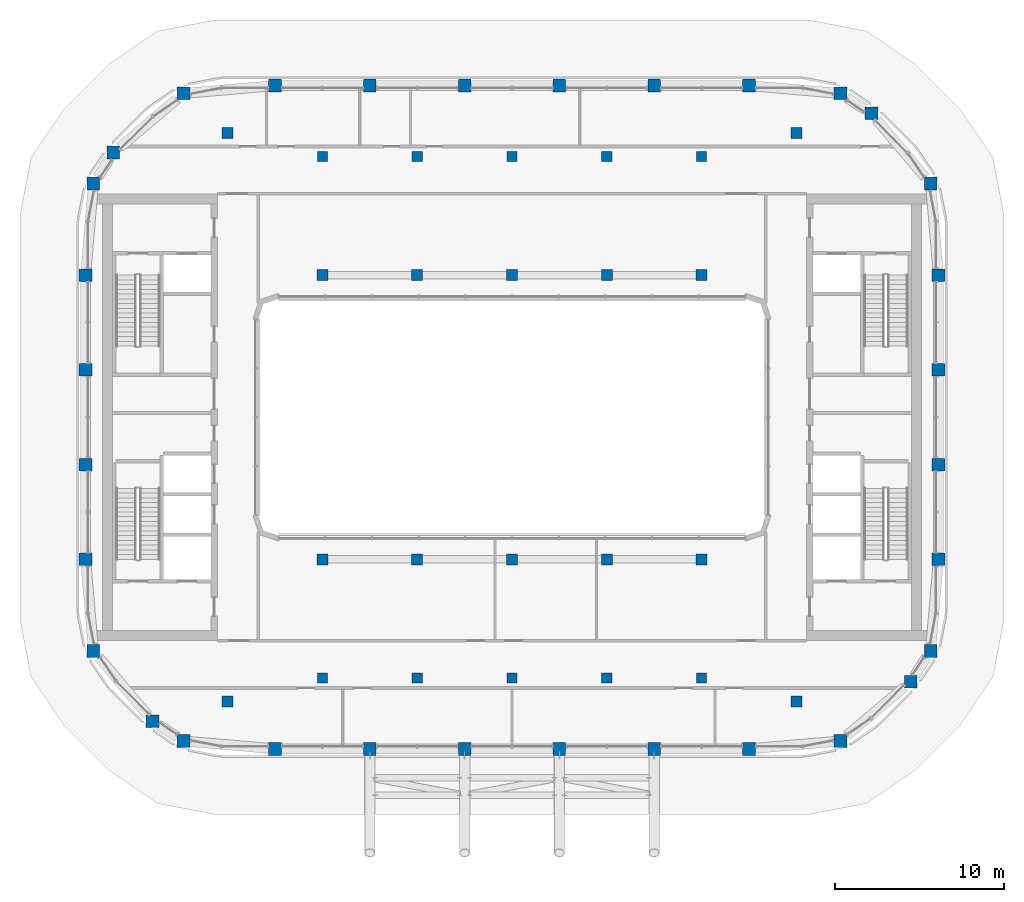
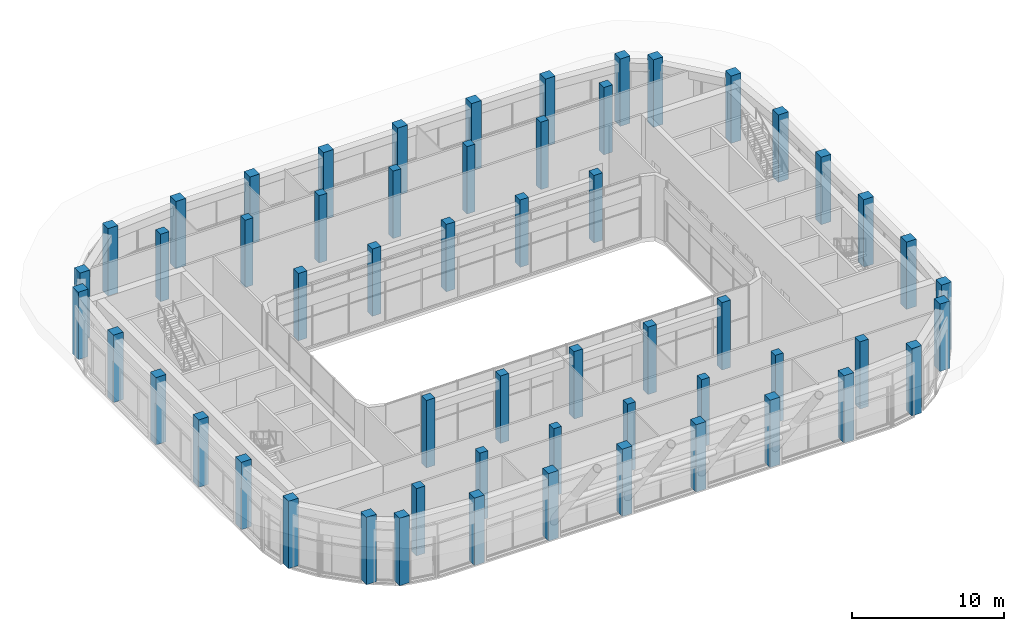
# One storey, part 1 of 24: 56 columns.
"""IFC4 building model written with IfcOpenShell, lengths in metres."""

from ifc_helpers import new_model, si_unit, direction, frame, origin, origin_2d, place, context, subcontext, project, spatial, rectangle, extrude, material, material_profile, profile_set, type_object, element, save


model = new_model("IFC4")

# Units and contexts
model_context = context("Model", 3, precision=1e-05, world=origin(), true_north=direction((0.0, 1.0)))
body_context = subcontext(model_context, "Body", "Model", "MODEL_VIEW")
ifc_project = project(units=[si_unit("LENGTHUNIT", "METRE"), si_unit("AREAUNIT", "SQUARE_METRE"), si_unit("VOLUMEUNIT", "CUBIC_METRE"), si_unit("PLANEANGLEUNIT", "RADIAN"), si_unit("MASSUNIT", "GRAM", prefix="KILO")], contexts=[model_context])

# Site, building, storey
site_placement = place(None, origin())
site = spatial("IfcSite", under=ifc_project, at=site_placement, CompositionType="ELEMENT")
building_placement = place(site_placement, origin())
building = spatial("IfcBuilding", under=site, at=building_placement, Name="Kiln Ring Residences", CompositionType="ELEMENT")
storey_placement = place(building_placement, frame((0.0, 0.0, 283.699951171875)))
storey = spatial("IfcBuildingStorey", under=building, at=storey_placement, Name="L74", CompositionType="ELEMENT", Elevation=283.699951171875)

# Columns
ifc_material_1 = material(Name="Concrete C60/75", Category="concrete")
ifc_material_profile_1 = material_profile(ifc_material_1, rectangle(XDim=0.60009765625, YDim=0.60009765625, at=origin_2d()), Name="RC600x600")
ifc_profile_set_1 = profile_set([ifc_material_profile_1], Name="Concrete C60/75")
column_type_1 = type_object("IfcColumnType", Name="Corridor column RC600x600 C60/75", PredefinedType="COLUMN", material=ifc_profile_set_1)
for number, where, z_axis, x_axis, name in (
    (1, (-11.199951171875, 15.39990234375, 0.0), (0.0, 0.0, 1.0), (1.0, 0.0, 0.0), "Corridor column L74 1"),
    (2, (-5.60009765625, 15.39990234375, 0.0), (0.0, 0.0, 1.0), (1.0, 0.0, 0.0), "Corridor column L74 2"),
    (3, (0.0, 15.39990234375, 0.0), (0.0, 0.0, 1.0), (1.0, 0.0, 0.0), "Corridor column L74 3"),
    (4, (5.60009765625, 15.39990234375, 0.0), (0.0, 0.0, 1.0), (1.0, 0.0, 0.0), "Corridor column L74 4"),
    (5, (11.199951171875, 15.39990234375, 0.0), (0.0, 0.0, 1.0), (1.0, 0.0, 0.0), "Corridor column L74 5"),
    (6, (-11.199951171875, -15.39990234375, 0.0), (0.0, 0.0, 1.0), (1.0, 0.0, 0.0), "Corridor column L74 6"),
    (7, (-5.60009765625, -15.39990234375, 0.0), (0.0, 0.0, 1.0), (1.0, 0.0, 0.0), "Corridor column L74 7"),
    (8, (0.0, -15.39990234375, 0.0), (0.0, 0.0, 1.0), (1.0, 0.0, 0.0), "Corridor column L74 8"),
    (9, (5.60009765625, -15.39990234375, 0.0), (0.0, 0.0, 1.0), (1.0, 0.0, 0.0), "Corridor column L74 9"),
    (10, (11.199951171875, -15.39990234375, 0.0), (0.0, 0.0, 1.0), (1.0, 0.0, 0.0), "Corridor column L74 10"),
):
    element("IfcColumn", number, at=place(storey_placement, frame(where, z_axis=z_axis, x_axis=x_axis)), inside=storey, type_object=column_type_1, Name=name, PredefinedType="COLUMN", context=body_context, shape_type="SweptSolid", body=[
        extrude(rectangle(XDim=0.60009765625, YDim=0.60009765625, at=origin_2d()), origin(), (0.0, 0.0, 1.0), 5.400146484375),
    ])
ifc_material_2 = material(Name="Concrete C60/75", Category="concrete")
ifc_material_profile_2 = material_profile(ifc_material_2, rectangle(XDim=0.75, YDim=0.75, at=origin_2d()), Name="RC750x750")
ifc_profile_set_2 = profile_set([ifc_material_profile_2], Name="Concrete C60/75")
column_type_2 = type_object("IfcColumnType", Name="Perimeter column RC750x750 C60/75", PredefinedType="COLUMN", material=ifc_profile_set_2)
for number, where, z_axis, x_axis, name in (
    (11, (-19.40869140625, -19.13818359375, 0.0), (0.0, 0.0, 1.0), (1.0, 0.0, 0.0), "Perimeter column L74 1"),
    (12, (-14.0, -19.60009765625, 0.0), (0.0, 0.0, 1.0), (1.0, 0.0, 0.0), "Perimeter column L74 2"),
    (13, (-8.39990234375, -19.60009765625, 0.0), (0.0, 0.0, 1.0), (1.0, 0.0, 0.0), "Perimeter column L74 3"),
    (14, (-2.800048828125, -19.60009765625, 0.0), (0.0, 0.0, 1.0), (1.0, 0.0, 0.0), "Perimeter column L74 4"),
    (15, (2.800048828125, -19.60009765625, 0.0), (0.0, 0.0, 1.0), (1.0, 0.0, 0.0), "Perimeter column L74 5"),
    (16, (8.39990234375, -19.60009765625, 0.0), (0.0, 0.0, 1.0), (1.0, 0.0, 0.0), "Perimeter column L74 6"),
    (17, (14.0, -19.60009765625, 0.0), (0.0, 0.0, 1.0), (1.0, 0.0, 0.0), "Perimeter column L74 7"),
    (18, (19.40869140625, -19.13818359375, 0.0), (0.0, 0.0, 1.0), (1.0, 0.0, 0.0), "Perimeter column L74 8"),
    (19, (23.559814453125, -15.64013671875, 0.0), (0.0, 0.0, 1.0), (1.0, 0.0, 0.0), "Perimeter column L74 9"),
    (20, (24.738037109375, -13.80859375, 0.0), (0.0, 0.0, 1.0), (1.0, 0.0, 0.0), "Perimeter column L74 10"),
    (21, (25.199951171875, -8.39990234375, 0.0), (0.0, 0.0, 1.0), (1.0, 0.0, 0.0), "Perimeter column L74 11"),
    (22, (25.199951171875, -2.800048828125, 0.0), (0.0, 0.0, 1.0), (1.0, 0.0, 0.0), "Perimeter column L74 12"),
    (23, (25.199951171875, 2.800048828125, 0.0), (0.0, 0.0, 1.0), (1.0, 0.0, 0.0), "Perimeter column L74 13"),
    (24, (25.199951171875, 8.39990234375, 0.0), (0.0, 0.0, 1.0), (1.0, 0.0, 0.0), "Perimeter column L74 14"),
    (25, (24.738037109375, 13.80859375, 0.0), (0.0, 0.0, 1.0), (1.0, 0.0, 0.0), "Perimeter column L74 15"),
    (26, (21.240234375, 17.959716796875, 0.0), (0.0, 0.0, 1.0), (1.0, 0.0, 0.0), "Perimeter column L74 16"),
    (27, (19.40869140625, 19.13818359375, 0.0), (0.0, 0.0, 1.0), (1.0, 0.0, 0.0), "Perimeter column L74 17"),
    (28, (14.0, 19.60009765625, 0.0), (0.0, 0.0, 1.0), (1.0, 0.0, 0.0), "Perimeter column L74 18"),
    (29, (8.39990234375, 19.60009765625, 0.0), (0.0, 0.0, 1.0), (1.0, 0.0, 0.0), "Perimeter column L74 19"),
    (30, (2.800048828125, 19.60009765625, 0.0), (0.0, 0.0, 1.0), (1.0, 0.0, 0.0), "Perimeter column L74 20"),
    (31, (-2.800048828125, 19.60009765625, 0.0), (0.0, 0.0, 1.0), (1.0, 0.0, 0.0), "Perimeter column L74 21"),
    (32, (-8.39990234375, 19.60009765625, 0.0), (0.0, 0.0, 1.0), (1.0, 0.0, 0.0), "Perimeter column L74 22"),
    (33, (-14.0, 19.60009765625, 0.0), (0.0, 0.0, 1.0), (1.0, 0.0, 0.0), "Perimeter column L74 23"),
    (34, (-19.40869140625, 19.13818359375, 0.0), (0.0, 0.0, 1.0), (1.0, 0.0, 0.0), "Perimeter column L74 24"),
    (35, (-23.559814453125, 15.64013671875, 0.0), (0.0, 0.0, 1.0), (1.0, 0.0, 0.0), "Perimeter column L74 25"),
    (36, (-24.738037109375, 13.80859375, 0.0), (0.0, 0.0, 1.0), (1.0, 0.0, 0.0), "Perimeter column L74 26"),
    (37, (-25.199951171875, 8.39990234375, 0.0), (0.0, 0.0, 1.0), (1.0, 0.0, 0.0), "Perimeter column L74 27"),
    (38, (-25.199951171875, 2.800048828125, 0.0), (0.0, 0.0, 1.0), (1.0, 0.0, 0.0), "Perimeter column L74 28"),
    (39, (-25.199951171875, -2.800048828125, 0.0), (0.0, 0.0, 1.0), (1.0, 0.0, 0.0), "Perimeter column L74 29"),
    (40, (-25.199951171875, -8.39990234375, 0.0), (0.0, 0.0, 1.0), (1.0, 0.0, 0.0), "Perimeter column L74 30"),
    (41, (-24.738037109375, -13.80859375, 0.0), (0.0, 0.0, 1.0), (1.0, 0.0, 0.0), "Perimeter column L74 31"),
    (42, (-21.240234375, -17.959716796875, 0.0), (0.0, 0.0, 1.0), (1.0, 0.0, 0.0), "Perimeter column L74 32"),
):
    element("IfcColumn", number, at=place(storey_placement, frame(where, z_axis=z_axis, x_axis=x_axis)), inside=storey, type_object=column_type_2, Name=name, PredefinedType="COLUMN", context=body_context, shape_type="SweptSolid", body=[
        extrude(rectangle(XDim=0.75, YDim=0.75, at=origin_2d()), origin(), (0.0, 0.0, 1.0), 5.400146484375),
    ])
ifc_material_3 = material(Name="Concrete C60/75", Category="concrete")
ifc_material_profile_3 = material_profile(ifc_material_3, rectangle(XDim=0.64990234375, YDim=0.64990234375, at=origin_2d()), Name="RC650x650")
ifc_profile_set_3 = profile_set([ifc_material_profile_3], Name="Concrete C60/75")
column_type_3 = type_object("IfcColumnType", Name="Ring column RC650x650 C60/75", PredefinedType="COLUMN", material=ifc_profile_set_3)
for number, where, z_axis, x_axis, name in (
    (43, (-16.800048828125, -16.800048828125, 0.0), (0.0, 0.0, 1.0), (1.0, 0.0, 0.0), "Ring column L74 1"),
    (44, (-16.800048828125, 16.800048828125, 0.0), (0.0, 0.0, 1.0), (1.0, 0.0, 0.0), "Ring column L74 2"),
    (45, (-11.199951171875, -8.39990234375, 0.0), (0.0, 0.0, 1.0), (1.0, 0.0, 0.0), "Ring column L74 3"),
    (46, (-11.199951171875, 8.39990234375, 0.0), (0.0, 0.0, 1.0), (1.0, 0.0, 0.0), "Ring column L74 4"),
    (47, (-5.60009765625, -8.39990234375, 0.0), (0.0, 0.0, 1.0), (1.0, 0.0, 0.0), "Ring column L74 5"),
    (48, (-5.60009765625, 8.39990234375, 0.0), (0.0, 0.0, 1.0), (1.0, 0.0, 0.0), "Ring column L74 6"),
    (49, (0.0, -8.39990234375, 0.0), (0.0, 0.0, 1.0), (1.0, 0.0, 0.0), "Ring column L74 7"),
    (50, (0.0, 8.39990234375, 0.0), (0.0, 0.0, 1.0), (1.0, 0.0, 0.0), "Ring column L74 8"),
    (51, (5.60009765625, -8.39990234375, 0.0), (0.0, 0.0, 1.0), (1.0, 0.0, 0.0), "Ring column L74 9"),
    (52, (5.60009765625, 8.39990234375, 0.0), (0.0, 0.0, 1.0), (1.0, 0.0, 0.0), "Ring column L74 10"),
    (53, (11.199951171875, -8.39990234375, 0.0), (0.0, 0.0, 1.0), (1.0, 0.0, 0.0), "Ring column L74 11"),
    (54, (11.199951171875, 8.39990234375, 0.0), (0.0, 0.0, 1.0), (1.0, 0.0, 0.0), "Ring column L74 12"),
    (55, (16.800048828125, -16.800048828125, 0.0), (0.0, 0.0, 1.0), (1.0, 0.0, 0.0), "Ring column L74 13"),
    (56, (16.800048828125, 16.800048828125, 0.0), (0.0, 0.0, 1.0), (1.0, 0.0, 0.0), "Ring column L74 14"),
):
    element("IfcColumn", number, at=place(storey_placement, frame(where, z_axis=z_axis, x_axis=x_axis)), inside=storey, type_object=column_type_3, Name=name, PredefinedType="COLUMN", context=body_context, shape_type="SweptSolid", body=[
        extrude(rectangle(XDim=0.64990234375, YDim=0.64990234375, at=origin_2d()), origin(), (0.0, 0.0, 1.0), 5.400146484375),
    ])

save(model, "model.ifc")
